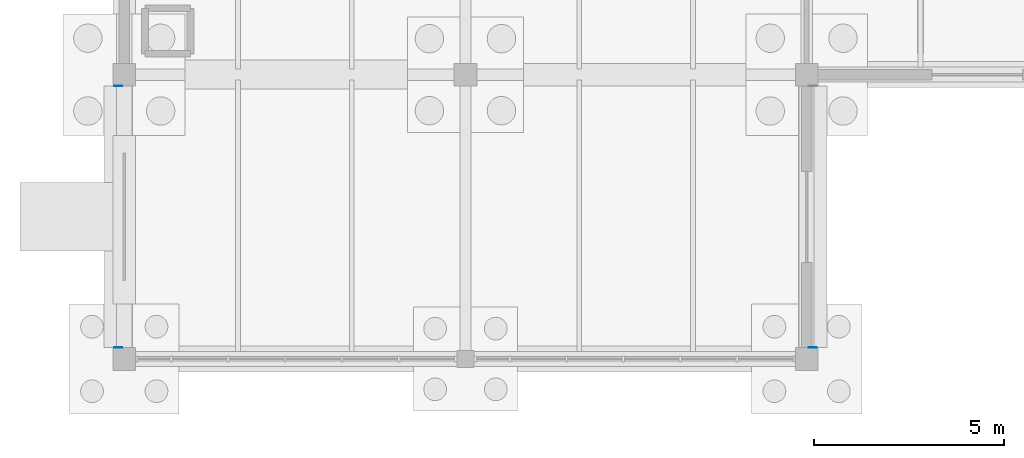
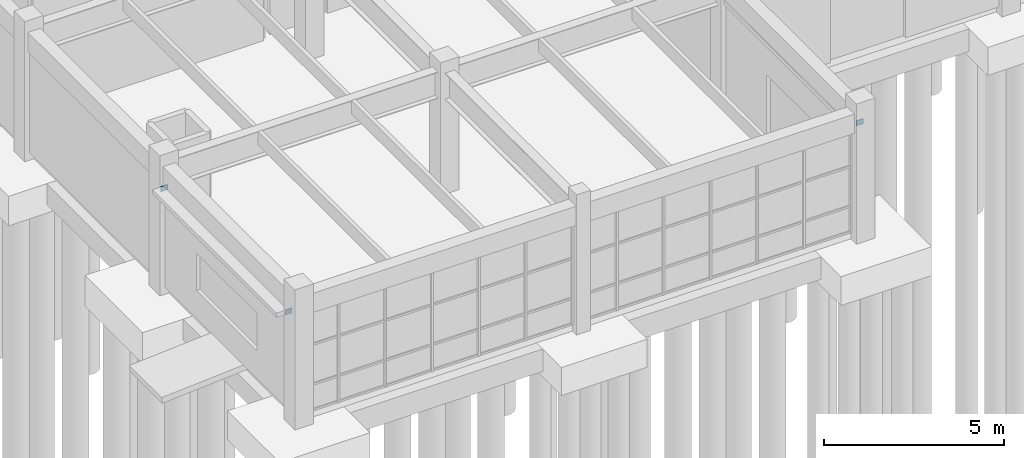
# One storey, part 65 of 93: 3 plates.
"""IFC4 building model written with IfcOpenShell, lengths in metres."""

import ifcopenshell
import ifcopenshell.guid

model = None  # the IFC model being written
_history = None  # IfcOwnerHistory: only IFC2X3 demands one
_inside = {}  # id of a spatial element -> (the spatial element, [elements in it])
_under = {}  # id of a project, library or spatial element -> (it, [spatial elements below it])
_declared = {}  # id of a project -> (the project, [libraries it declares])
_typed = {}  # id of a type object -> (the type object, [elements of that type])
_made_of = {}  # id of a material, layer set ... -> (it, [elements and type objects made of it])


def new_model(schema):
    """Start an empty IFC model of exactly this schema.

    Asked for "IFC4X3", IfcOpenShell would pick the latest addendum, in which some entities
    have other attributes; the version numbers below select the first issue.
    IFC2X3 requires an IfcOwnerHistory on every rooted entity: one is made here for all.
    """
    global model, _history
    if schema == "IFC4X3":
        model = ifcopenshell.file(schema_version=(4, 3, 0, 0))
    else:
        model = ifcopenshell.file(schema=schema)
    _inside.clear()
    _under.clear()
    _declared.clear()
    _typed.clear()
    _made_of.clear()
    _history = None
    if model.schema == "IFC2X3":
        org = make("IfcOrganization", Name="unknown")
        user = make(
            "IfcPersonAndOrganization",
            ThePerson=make("IfcPerson", FamilyName="unknown"),
            TheOrganization=org,
        )
        app = make(
            "IfcApplication",
            ApplicationDeveloper=org,
            Version="unknown",
            ApplicationFullName="unknown",
            ApplicationIdentifier="unknown",
        )
        _history = make(
            "IfcOwnerHistory",
            OwningUser=user,
            OwningApplication=app,
            ChangeAction="ADDED",
            CreationDate=0,
        )
    return model


def make(cls, **values):
    """One entity of the class cls with the attributes given. An attribute that is None is left unset."""
    return model.create_entity(
        cls, **{name: value for name, value in values.items() if value is not None}
    )


def rooted(cls, **values):
    """An entity with a GlobalId (a new one), such as an element, a storey or a relation."""
    return make(cls, GlobalId=ifcopenshell.guid.new(), OwnerHistory=_history, **values)


def si_unit(unit_type, name, prefix=None):
    """IfcSIUnit, for example si_unit("LENGTHUNIT", "METRE", prefix="MILLI")."""
    return make("IfcSIUnit", UnitType=unit_type, Prefix=prefix, Name=name)


def assignment(units):
    """IfcUnitAssignment: the units of a project."""
    return None if units is None else make("IfcUnitAssignment", Units=units)


def point(xyz):
    """IfcCartesianPoint."""
    return None if xyz is None else make("IfcCartesianPoint", Coordinates=xyz)


def direction(xyz):
    """IfcDirection."""
    return None if xyz is None else make("IfcDirection", DirectionRatios=xyz)


def frame(location, z_axis=None, x_axis=None):
    """IfcAxis2Placement3D, a coordinate frame: its origin and axes. An axis left out is left unset."""
    return make(
        "IfcAxis2Placement3D",
        Location=point(location),
        Axis=direction(z_axis),
        RefDirection=direction(x_axis),
    )


def frame_2d(location, x_axis=None):
    """IfcAxis2Placement2D, a coordinate frame in the plane: its origin and x axis."""
    return make(
        "IfcAxis2Placement2D", Location=point(location), RefDirection=direction(x_axis)
    )


def origin():
    """The frame at (0, 0, 0) with its axes left unset."""
    return frame((0.0, 0.0, 0.0))


def origin_2d():
    """The frame at (0, 0) in the plane with its x axis left unset."""
    return frame_2d((0.0, 0.0))


def place(relative_to, where):
    """IfcLocalPlacement: puts the frame where relative to a parent placement (None: the world)."""
    return make(
        "IfcLocalPlacement", PlacementRelTo=relative_to, RelativePlacement=where
    )


def context(
    kind, dimensions, precision=None, world=None, true_north=None, identifier=None
):
    """IfcGeometricRepresentationContext, for example the 3D "Model" context."""
    return make(
        "IfcGeometricRepresentationContext",
        ContextIdentifier=identifier,
        ContextType=kind,
        CoordinateSpaceDimension=dimensions,
        Precision=precision,
        WorldCoordinateSystem=world,
        TrueNorth=true_north,
    )


def subcontext(parent, identifier, kind, view, scale=None):
    """IfcGeometricRepresentationSubContext, for example "Body" below "Model"."""
    return make(
        "IfcGeometricRepresentationSubContext",
        ContextIdentifier=identifier,
        ContextType=kind,
        ParentContext=parent,
        TargetScale=scale,
        TargetView=view,
    )


def project(units=None, contexts=None):
    """IfcProject with its units and contexts."""
    return rooted(
        "IfcProject",
        Name="project",
        RepresentationContexts=contexts,
        UnitsInContext=assignment(units),
    )


def spatial(cls, under=None, at=None, **own):
    """A site, building, storey or space (cls), placed at a placement, below another one or the project."""
    s = rooted(cls, ObjectPlacement=at, **own)
    if under is not None:
        _under.setdefault(under.id(), (under, []))[1].append(s)
    return s


def profile(cls, at=None, kind="AREA", **sizes):
    """A parametric profile (cls). Its sizes go by their IFC names, for example OverallWidth=200.0."""
    return make(cls, ProfileType=kind, Position=at, **sizes)


def rectangle(**sizes):
    """IfcRectangleProfileDef."""
    return profile("IfcRectangleProfileDef", **sizes)


def extrude(swept, where, along, depth):
    """IfcExtrudedAreaSolid: the profile swept, set in the frame where, extruded along a direction by depth."""
    return make(
        "IfcExtrudedAreaSolid",
        SweptArea=swept,
        Position=where,
        ExtrudedDirection=direction(along),
        Depth=depth,
    )


def shape(context_of_items, identifier, shape_type, items):
    """IfcShapeRepresentation: the items that make up one representation, for example the "Body"."""
    return make(
        "IfcShapeRepresentation",
        ContextOfItems=context_of_items,
        RepresentationIdentifier=identifier,
        RepresentationType=shape_type,
        Items=items,
    )


def material(Name=None, Category=None):
    """IfcMaterial."""
    return make("IfcMaterial", Name=Name, Category=Category)


def layer(
    of_material, thickness, ventilated=None, Name=None, Category=None, Priority=None
):
    """IfcMaterialLayer: one layer of a wall or slab, of a material (None: an air gap)."""
    return make(
        "IfcMaterialLayer",
        Material=of_material,
        LayerThickness=thickness,
        IsVentilated=ventilated,
        Name=Name,
        Category=Category,
        Priority=Priority,
    )


def layer_set(layers, Name=None):
    """IfcMaterialLayerSet."""
    return make("IfcMaterialLayerSet", MaterialLayers=layers, LayerSetName=Name)


def made_of(thing, what):
    """Note that an element or type object is made of a material, layer set ...; save() writes the relation."""
    if what is not None:
        _made_of.setdefault(what.id(), (what, []))[1].append(thing)
    return thing


def type_object(cls, material=None, **own):
    """A type object (cls), such as IfcWallType, which elements share."""
    return made_of(rooted(cls, **own), material)


def element(
    cls,
    number,
    at=None,
    inside=None,
    cuts=None,
    type_object=None,
    material=None,
    context=None,
    identifier="Body",
    shape_type=None,
    held_by="IfcProductDefinitionShape",
    body=None,
    shapes=None,
    **own,
):
    """One element of the class cls, such as IfcWall. Its Tag is "e" and its number.

    at: its placement. inside: the storey or other place that contains it. cuts: it is an
    opening in that element (IfcRelVoidsElement). A single representation is given by context,
    identifier, shape_type and body (its items); several are given by shapes. held_by: the class
    of the entity that holds the representations. save() writes the other relations.
    """
    e = rooted(cls, Tag="e%d" % number, ObjectPlacement=at, **own)
    if body is not None:
        shapes = [shape(context, identifier, shape_type, body)]
    if shapes is not None:
        e.Representation = make(held_by, Representations=shapes)
    if inside is not None:
        _inside.setdefault(inside.id(), (inside, []))[1].append(e)
    if cuts is not None:
        rooted(
            "IfcRelVoidsElement", RelatingBuildingElement=cuts, RelatedOpeningElement=e
        )
    if type_object is not None:
        _typed.setdefault(type_object.id(), (type_object, []))[1].append(e)
    return made_of(e, material)


def aggregate(whole, parts):
    """IfcRelAggregates: a whole, such as a stair, and the parts it consists of."""
    return rooted("IfcRelAggregates", RelatingObject=whole, RelatedObjects=parts)


def save(model, path):
    """Write the relations noted so far, then the file.

    IfcRelAggregates (storeys below a building ...), IfcRelContainedInSpatialStructure (elements
    in a storey), IfcRelDefinesByType, IfcRelAssociatesMaterial and IfcRelDeclares: one each for
    every whole, place, type object, material and project.
    """
    for whole, parts in _under.values():
        aggregate(whole, parts)
    for where, things in _inside.values():
        rooted(
            "IfcRelContainedInSpatialStructure",
            RelatedElements=things,
            RelatingStructure=where,
        )
    for kind, things in _typed.values():
        rooted("IfcRelDefinesByType", RelatedObjects=things, RelatingType=kind)
    for what, things in _made_of.values():
        rooted("IfcRelAssociatesMaterial", RelatedObjects=things, RelatingMaterial=what)
    for by, libraries in _declared.values():
        rooted("IfcRelDeclares", RelatingContext=by, RelatedDefinitions=libraries)
    model.write(path)


model = new_model("IFC4")

# Units and contexts
model_context = context("Model", 3, precision=1e-05, world=origin(), true_north=direction((0.0, 1.0)))
body_context = subcontext(model_context, "Body", "Model", "MODEL_VIEW")
ifc_project = project(units=[si_unit("LENGTHUNIT", "METRE"), si_unit("AREAUNIT", "SQUARE_METRE"), si_unit("VOLUMEUNIT", "CUBIC_METRE"), si_unit("PLANEANGLEUNIT", "RADIAN"), si_unit("MASSUNIT", "GRAM", prefix="KILO")], contexts=[model_context])

# Site, building, storey
site_placement = place(None, origin())
site = spatial("IfcSite", under=ifc_project, at=site_placement, CompositionType="ELEMENT")
building_placement = place(site_placement, origin())
building = spatial("IfcBuilding", under=site, at=building_placement, Name="Marnridge Secondary College", CompositionType="ELEMENT")
storey_placement = place(building_placement, origin())
storey = spatial("IfcBuildingStorey", under=building, at=storey_placement, Name="L00", CompositionType="ELEMENT", Elevation=0.0)

# Plates
ifc_material = material(Name="Structural steel plate Grade 350 (AS/NZS 3678, fy = 350 MPa <=12mm, 340 MPa 12-20mm, 330 MPa 20-50mm)", Category="steel")
ifc_layer = layer(ifc_material, 0.02392578125)
ifc_layer_set = layer_set([ifc_layer], Name="PT-GUS-GSN2")
plate_type = type_object("IfcPlateType", Name="PT-GUS-GSN2", PredefinedType="USERDEFINED", material=ifc_layer_set)
for number, where, z_axis, x_axis, name in (
    (1, (18.159912109375, 75.300048828125, 3.27197265625), (0.0, 0.0, 1.0), (1.0, 0.0, 0.0), "Solar fin end bracket plate SFN-0019-BP2"),
    (2, (-0.159912109375, 75.300048828125, 3.27197265625), (0.0, 0.0, 1.0), (1.0, 0.0, 0.0), "Solar fin end bracket plate SFN-0020-BP1"),
    (3, (-0.159912109375, 82.199951171875, 3.27197265625), (0.0, 0.0, 1.0), (1.0, 0.0, 0.0), "Solar fin end bracket plate SFN-0020-BP2"),
):
    element("IfcPlate", number, at=place(storey_placement, frame(where, z_axis=z_axis, x_axis=x_axis)), inside=storey, type_object=plate_type, Name=name, ObjectType="GUSSET PLATE", PredefinedType="USERDEFINED", context=body_context, shape_type="SweptSolid", body=[
        extrude(rectangle(XDim=0.219970703125, YDim=0.01806640625, at=origin_2d()), origin(), (0.0, 0.0, 1.0), 0.179931640625),
    ])

save(model, "model.ifc")
